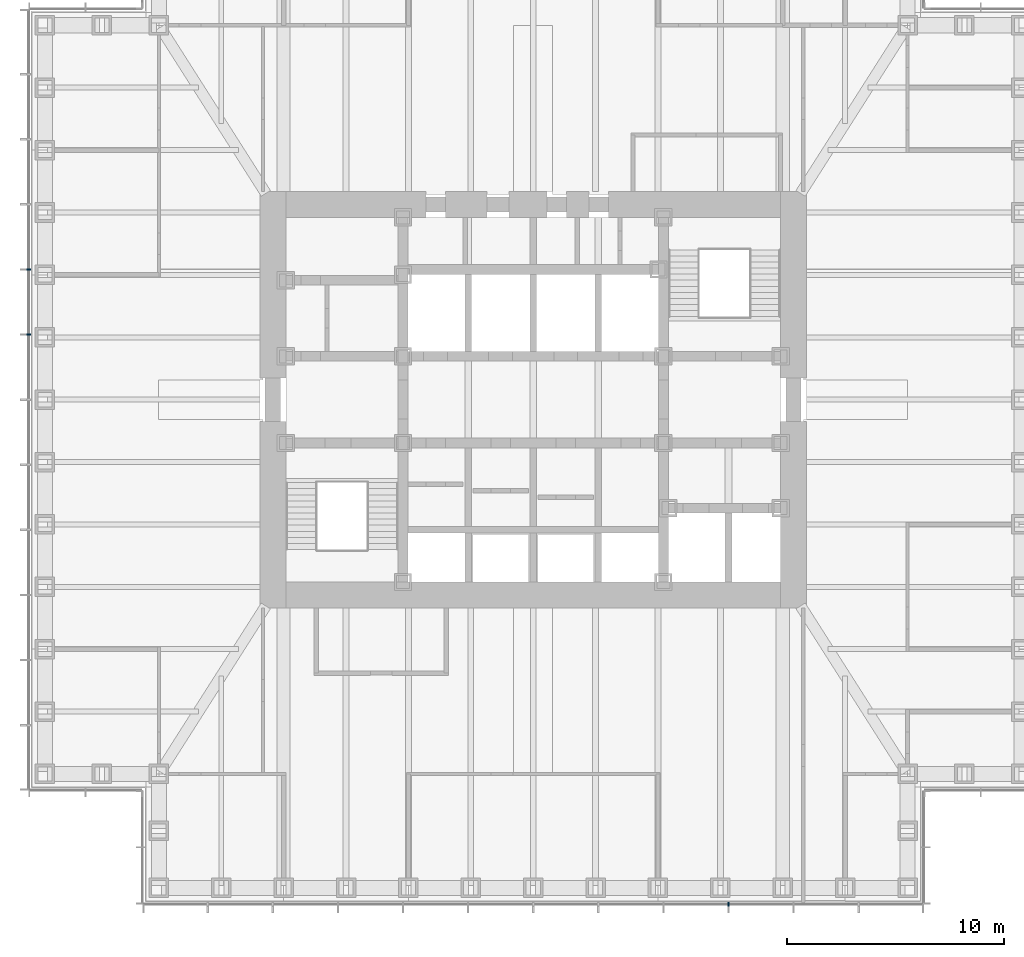
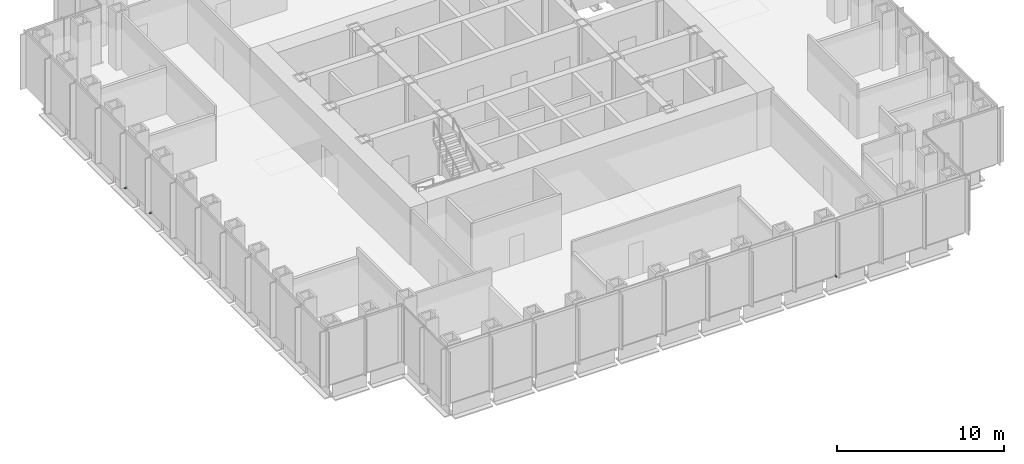
# One storey, part 13 of 17: 3 discrete accessories.
"""IFC4 building model written with IfcOpenShell, lengths in metres."""

from ifc_helpers import new_model, si_unit, direction, frame, origin, origin_2d, place, context, subcontext, project, spatial, rectangle, extrude, element, save


model = new_model("IFC4")

# Units and contexts
model_context = context("Model", 3, precision=1e-05, world=origin(), true_north=direction((0.0, 1.0)))
body_context = subcontext(model_context, "Body", "Model", "MODEL_VIEW")
ifc_project = project(units=[si_unit("LENGTHUNIT", "METRE"), si_unit("AREAUNIT", "SQUARE_METRE"), si_unit("VOLUMEUNIT", "CUBIC_METRE"), si_unit("PLANEANGLEUNIT", "RADIAN"), si_unit("MASSUNIT", "GRAM", prefix="KILO")], contexts=[model_context])

# Site, building, storey
site_placement = place(None, origin())
site = spatial("IfcSite", under=ifc_project, at=site_placement, CompositionType="ELEMENT")
building_placement = place(site_placement, origin())
building = spatial("IfcBuilding", under=site, at=building_placement, Name="Daluyong Arena Tower", CompositionType="ELEMENT")
storey_placement = place(building_placement, frame((0.0, 0.0, 150.10009765625)))
storey = spatial("IfcBuildingStorey", under=building, at=storey_placement, Name="L33", CompositionType="ELEMENT", Elevation=150.10009765625)

# Discrete accessories
for number, where, z_axis, x_axis, name in (
    (1, (65.0, 56.75, -0.10009765625), (0.0, 0.0, 1.0), (1.0, 0.0, 0.0), "curtain wall L33 S anchor bracket 10"),
    (2, (32.75, 86.0, -0.10009765625), (0.0, 0.0, 1.0), (0.0, -1.0, 0.0), "curtain wall L33 W anchor bracket 5"),
    (3, (32.75, 83.0, -0.10009765625), (0.0, 0.0, 1.0), (0.0, -1.0, 0.0), "curtain wall L33 W anchor bracket 6"),
):
    element("IfcDiscreteAccessory", number, at=place(storey_placement, frame(where, z_axis=z_axis, x_axis=x_axis)), inside=storey, Name=name, PredefinedType="BRACKET", context=body_context, shape_type="SweptSolid", body=[
        extrude(rectangle(XDim=0.080078125, YDim=0.199951171875, at=origin_2d()), origin(), (0.0, 0.0, 1.0), 0.10009765625),
    ])

save(model, "model.ifc")
